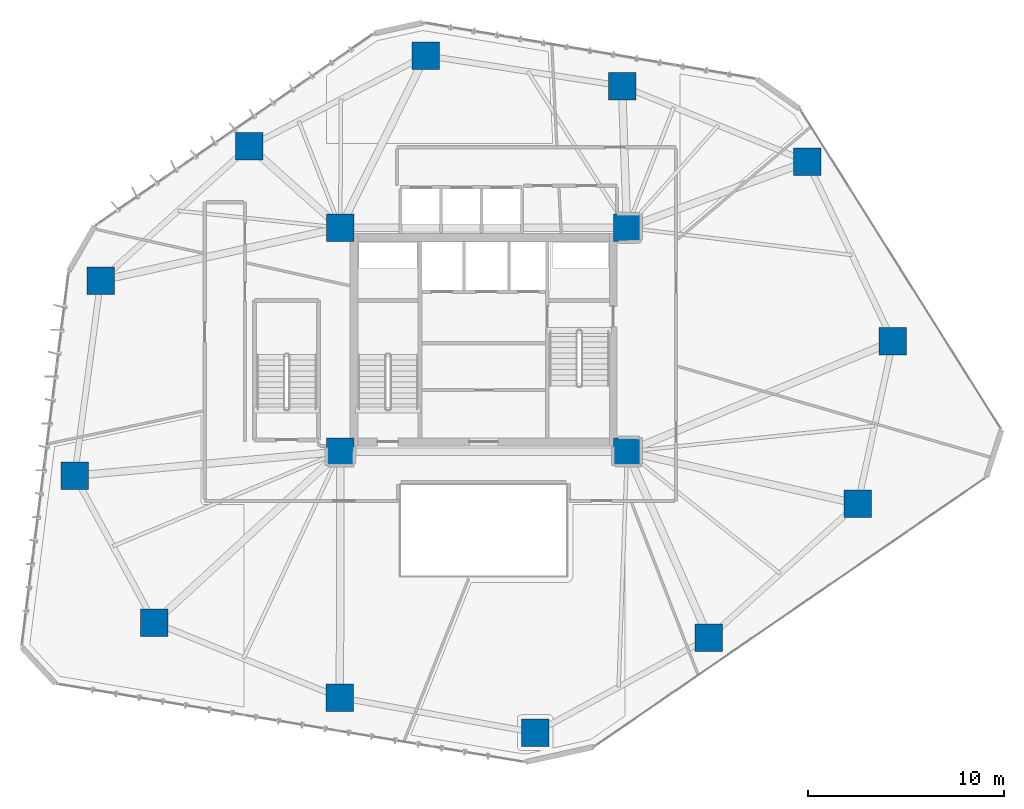
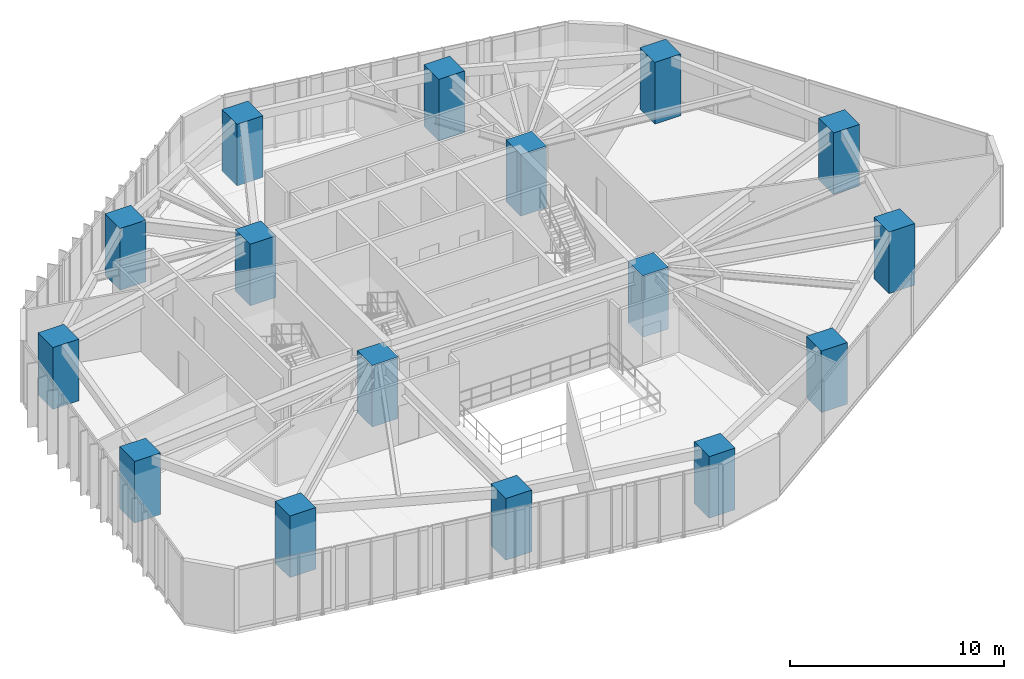
# One storey, part 1 of 21: 16 columns.
"""IFC4 building model written with IfcOpenShell, lengths in metres."""

from ifc_helpers import new_model, si_unit, direction, frame, origin, origin_2d, place, context, subcontext, project, spatial, rectangle, extrude, material, material_profile, profile_set, type_object, element, save


model = new_model("IFC4")

# Units and contexts
model_context = context("Model", 3, precision=1e-05, world=origin(), true_north=direction((0.0, 1.0)))
body_context = subcontext(model_context, "Body", "Model", "MODEL_VIEW")
ifc_project = project(units=[si_unit("LENGTHUNIT", "METRE"), si_unit("AREAUNIT", "SQUARE_METRE"), si_unit("VOLUMEUNIT", "CUBIC_METRE"), si_unit("PLANEANGLEUNIT", "RADIAN"), si_unit("MASSUNIT", "GRAM", prefix="KILO")], contexts=[model_context])

# Site, building, storey
site_placement = place(None, origin())
site = spatial("IfcSite", under=ifc_project, at=site_placement, CompositionType="ELEMENT")
building_placement = place(site_placement, origin())
building = spatial("IfcBuilding", under=site, at=building_placement, Name="Talar Marvaseh", CompositionType="ELEMENT")
storey_placement = place(building_placement, frame((0.0, 0.0, 62.0)))
storey = spatial("IfcBuildingStorey", under=building, at=storey_placement, Name="L15", CompositionType="ELEMENT", Elevation=62.0)

# Columns
ifc_material = material(Name="Concrete C70/85", Category="concrete")
ifc_material_profile = material_profile(ifc_material, rectangle(XDim=1.39990234375, YDim=1.39990234375, at=origin_2d()), Name="RC1400x1400")
ifc_profile_set = profile_set([ifc_material_profile], Name="Concrete C70/85")
column_type = type_object("IfcColumnType", Name="Zone 1 Tube Column RC1400x1400", PredefinedType="COLUMN", material=ifc_profile_set)
for number, where, z_axis, x_axis, name in (
    (1, (42.47705078125, 40.26904296875, 0.0), (0.0, 0.0, 1.0), (1.0, 0.0, 0.0), "L15 Zone 1 Tube Column RC1400x1400"),
    (2, (46.841064453125, 31.118896484375, 0.0), (0.0, 0.0, 1.0), (1.0, 0.0, 0.0), "L15 Zone 1 Tube Column RC1400x1400"),
    (3, (45.0439453125, 22.840087890625, 0.0), (0.0, 0.0, 1.0), (1.0, 0.0, 0.0), "L15 Zone 1 Tube Column RC1400x1400"),
    (4, (37.468017578125, 16.02099609375, 0.0), (0.0, 0.0, 1.0), (1.0, 0.0, 0.0), "L15 Zone 1 Tube Column RC1400x1400"),
    (5, (28.625, 11.195068359375, 0.0), (0.0, 0.0, 1.0), (1.0, 0.0, 0.0), "L15 Zone 1 Tube Column RC1400x1400"),
    (6, (18.68310546875, 12.97900390625, 0.0), (0.0, 0.0, 1.0), (1.0, 0.0, 0.0), "L15 Zone 1 Tube Column RC1400x1400"),
    (7, (9.23193359375, 16.7958984375, 0.0), (0.0, 0.0, 1.0), (1.0, 0.0, 0.0), "L15 Zone 1 Tube Column RC1400x1400"),
    (8, (5.175048828125, 24.27587890625, 0.0), (0.0, 0.0, 1.0), (1.0, 0.0, 0.0), "L15 Zone 1 Tube Column RC1400x1400"),
    (9, (6.501953125, 34.214111328125, 0.0), (0.0, 0.0, 1.0), (1.0, 0.0, 0.0), "L15 Zone 1 Tube Column RC1400x1400"),
    (10, (14.069091796875, 41.04296875, 0.0), (0.0, 0.0, 1.0), (1.0, 0.0, 0.0), "L15 Zone 1 Tube Column RC1400x1400"),
    (11, (23.047119140625, 45.6669921875, 0.0), (0.0, 0.0, 1.0), (1.0, 0.0, 0.0), "L15 Zone 1 Tube Column RC1400x1400"),
    (12, (33.0458984375, 44.117919921875, 0.0), (0.0, 0.0, 1.0), (1.0, 0.0, 0.0), "L15 Zone 1 Tube Column RC1400x1400"),
    (13, (18.699951171875, 25.5, 0.0), (0.0, 0.0, 1.0), (1.0, 0.0, 0.0), "L15 Zone 1 Tube Column RC1400x1400"),
    (14, (33.300048828125, 25.5, 0.0), (0.0, 0.0, 1.0), (1.0, 0.0, 0.0), "L15 Zone 1 Tube Column RC1400x1400"),
    (15, (33.300048828125, 36.89990234375, 0.0), (0.0, 0.0, 1.0), (1.0, 0.0, 0.0), "L15 Zone 1 Tube Column RC1400x1400"),
    (16, (18.699951171875, 36.89990234375, 0.0), (0.0, 0.0, 1.0), (1.0, 0.0, 0.0), "L15 Zone 1 Tube Column RC1400x1400"),
):
    element("IfcColumn", number, at=place(storey_placement, frame(where, z_axis=z_axis, x_axis=x_axis)), inside=storey, type_object=column_type, Name=name, PredefinedType="COLUMN", context=body_context, shape_type="SweptSolid", body=[
        extrude(rectangle(XDim=1.39990234375, YDim=1.39990234375, at=origin_2d()), origin(), (0.0, 0.0, 1.0), 3.52001953125),
    ])

save(model, "model.ifc")
